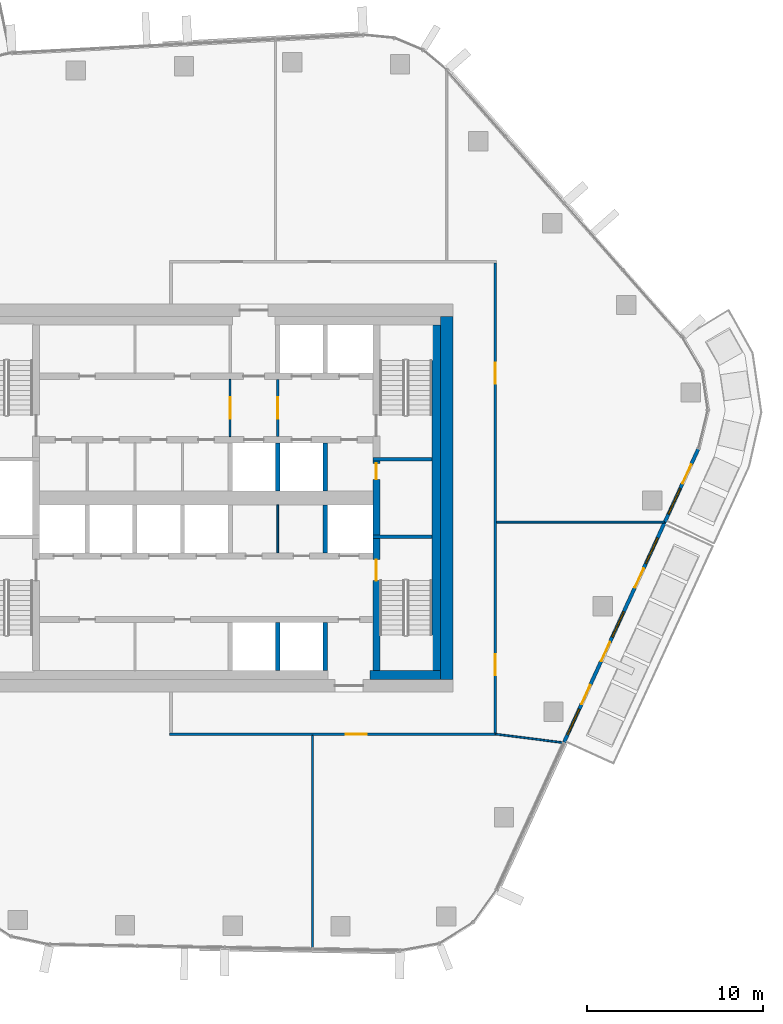
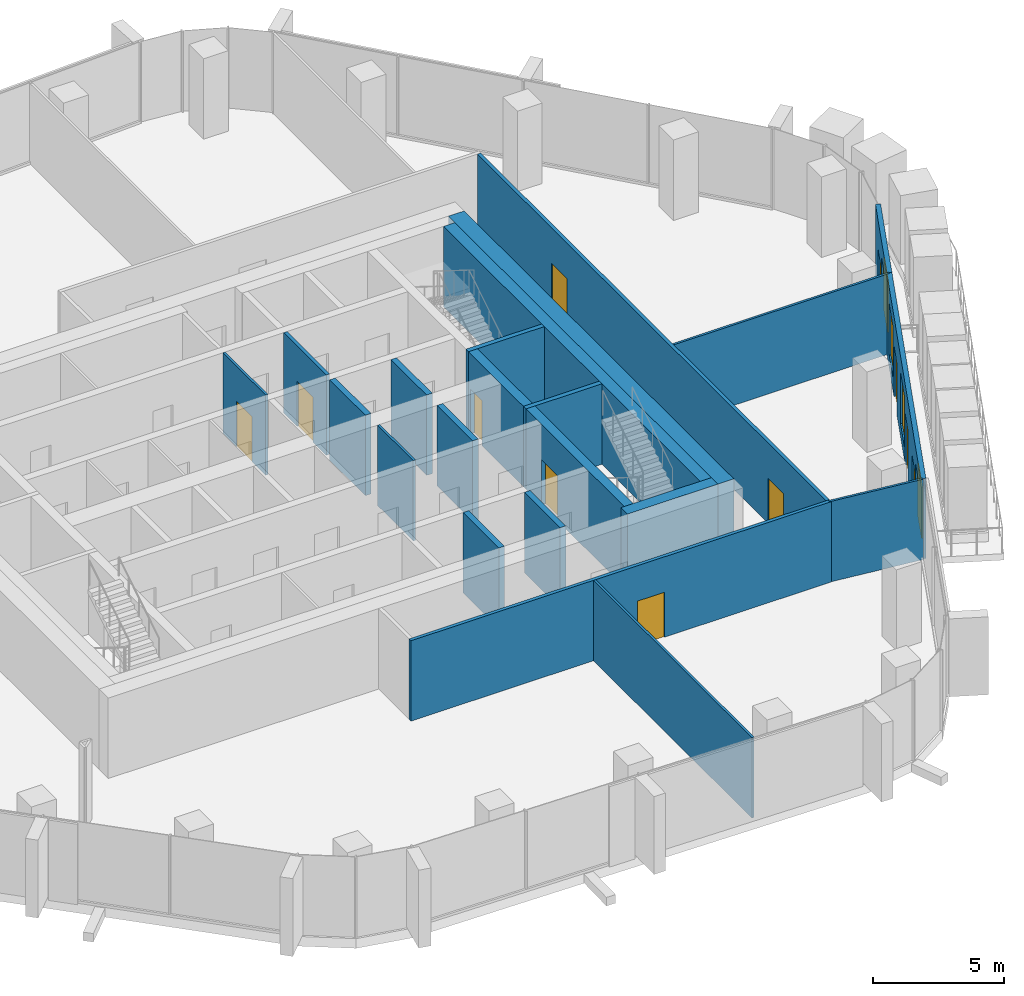
# One storey, part 12 of 21: 22 walls, 11 doors, 4 windows, 15 openings.
"""IFC4 building model written with IfcOpenShell, lengths in metres."""

from ifc_helpers import new_model, si_unit, direction, frame, frame_2d, origin, place, context, subcontext, project, spatial, rectangle, extrude, material, layer, layer_set, type_object, element, fill, save


model = new_model("IFC4")

# Units and contexts
model_context = context("Model", 3, precision=1e-05, world=origin(), true_north=direction((0.0, 1.0)))
body_context = subcontext(model_context, "Body", "Model", "MODEL_VIEW")
ifc_project = project(units=[si_unit("LENGTHUNIT", "METRE"), si_unit("AREAUNIT", "SQUARE_METRE"), si_unit("VOLUMEUNIT", "CUBIC_METRE"), si_unit("PLANEANGLEUNIT", "RADIAN"), si_unit("MASSUNIT", "GRAM", prefix="KILO")], contexts=[model_context])

# Site, building, storey
site_placement = place(None, origin())
site = spatial("IfcSite", under=ifc_project, at=site_placement, CompositionType="ELEMENT")
building_placement = place(site_placement, origin())
building = spatial("IfcBuilding", under=site, at=building_placement, Name="Dongbaek Canopy Tower", CompositionType="ELEMENT")
storey_placement = place(building_placement, frame((0.0, 0.0, 232.800048828125)))
storey = spatial("IfcBuildingStorey", under=building, at=storey_placement, Name="L48", CompositionType="ELEMENT", Elevation=232.800048828125)

# Walls
ifc_material_1 = material(Name="Concrete C70/85", Category="concrete")
ifc_layer_1 = layer(ifc_material_1, 0.699951171875)
ifc_layer_set_1 = layer_set([ifc_layer_1], Name="Core outer wall 700 Concrete C70/85")
wall_type_1 = type_object("IfcWallType", Name="Core outer wall 700 Concrete C70/85", PredefinedType="SHEAR", material=ifc_layer_set_1)
wall_1_placement = place(storey_placement, frame((13.64990234375, 10.300048828125, 0.0), z_axis=(0.0, 0.0, 1.0), x_axis=(0.0, -1.0, 0.0)))
element("IfcWall", 1, at=wall_1_placement, inside=storey, type_object=wall_type_1, Name="Core wall", PredefinedType="SHEAR", context=body_context, shape_type="SweptSolid", body=[
    extrude(rectangle(XDim=20.60009765625, YDim=0.699951171875, at=frame_2d((10.300048828125, 0.0))), origin(), (0.0, 0.0, 1.0), 3.75),
])
ifc_material_2 = material(Name="Concrete C60/75", Category="concrete")
ifc_layer_2 = layer(ifc_material_2, 0.5)
ifc_layer_set_2 = layer_set([ifc_layer_2], Name="Core wall lining 500 Concrete C60/75")
wall_type_2 = type_object("IfcWallType", Name="Core wall lining 500 Concrete C60/75", PredefinedType="SHEAR", material=ifc_layer_set_2)
wall_2_placement = place(storey_placement, frame((13.300048828125, -10.050048828125, 0.0), z_axis=(0.0, 0.0, 1.0), x_axis=(-1.0, 0.0, 0.0)))
element("IfcWall", 2, at=wall_2_placement, inside=storey, type_object=wall_type_2, Name="Core wall lining", PredefinedType="SHEAR", context=body_context, shape_type="SweptSolid", body=[
    extrude(rectangle(XDim=4.0, YDim=0.5, at=frame_2d((2.0, 0.0))), origin(), (0.0, 0.0, 1.0), 3.75),
])
wall_3_placement = place(storey_placement, frame((13.050048828125, 9.800048828125, 0.0), z_axis=(0.0, 0.0, 1.0), x_axis=(0.0, -1.0, 0.0)))
element("IfcWall", 3, at=wall_3_placement, inside=storey, type_object=wall_type_2, Name="Core wall lining", PredefinedType="SHEAR", context=body_context, shape_type="SweptSolid", body=[
    extrude(rectangle(XDim=19.60009765625, YDim=0.5, at=frame_2d((9.800048828125, 0.0))), origin(), (0.0, 0.0, 1.0), 3.75),
])

# Wall, opening, door
ifc_material_3 = material(Name="Gypsum board partition, steel stud, 2 x 15 mm fire board", Category="steel")
ifc_layer_3 = layer(ifc_material_3, 0.14990234375)
ifc_layer_set_3 = layer_set([ifc_layer_3], Name="Fire-rated partition 150 gypsum board")
wall_type_3 = type_object("IfcWallType", Name="Fire-rated partition 150 gypsum board", PredefinedType="PARTITIONING", material=ifc_layer_set_3)
wall_4_placement = place(storey_placement, frame((16.47509765625, -13.39990234375, 0.0), z_axis=(0.0, 0.0, 1.0), x_axis=(-1.0, 0.0, 0.0)))
wall_4 = element("IfcWall", 4, at=wall_4_placement, inside=storey, type_object=wall_type_3, Name="Corridor partition", PredefinedType="PARTITIONING", context=body_context, shape_type="SweptSolid", body=[
    extrude(rectangle(XDim=18.550048828125, YDim=0.14990234375, at=frame_2d((9.27490234375, 0.0))), origin(), (0.0, 0.0, 1.0), 3.75),
])
opening_1_placement = place(wall_4_placement, frame((7.3671875, 0.0, 0.0)))
opening_1 = element("IfcOpeningElement", 5, at=opening_1_placement, cuts=wall_4, Name="Opening L48-D002", PredefinedType="OPENING", context=body_context, shape_type="SweptSolid", body=[
    extrude(rectangle(XDim=1.199951171875, YDim=2.10009765625, at=frame_2d((0.60009765625, 1.050048828125))), frame((0.0, 0.0849609375, 0.0), z_axis=(0.0, -1.0, 0.0), x_axis=(1.0, 0.0, 0.0)), (0.0, 0.0, 1.0), 0.169921875),
])
ifc_material_4 = material(Name="Timber veneered door leaf", Category="wood")
door_type_1 = type_object("IfcDoorType", Name="Room door 1200 x 2100", OperationType="SINGLE_SWING_LEFT", PredefinedType="DOOR", material=ifc_material_4)
door_1_placement = place(opening_1_placement, origin())
door_1 = element("IfcDoor", 6, at=door_1_placement, inside=storey, type_object=door_type_1, Name="Door L48-D002", OperationType="SINGLE_SWING_LEFT", OverallHeight=2.10009765625, OverallWidth=1.199951171875, PredefinedType="DOOR", context=body_context, shape_type="SweptSolid", body=[
    extrude(rectangle(XDim=1.199951171875, YDim=2.10009765625, at=frame_2d((0.60009765625, 1.050048828125))), frame((0.0, 0.02490234375, 0.0), z_axis=(0.0, -1.0, 0.0), x_axis=(1.0, 0.0, 0.0)), (0.0, 0.0, 1.0), 0.050048828125),
])
fill(opening_1, door_1)

# Wall, openings, doors
wall_5_placement = place(storey_placement, frame((16.39990234375, 13.324951171875, 0.0), z_axis=(0.0, 0.0, 1.0), x_axis=(0.0, -1.0, 0.0)))
wall_5 = element("IfcWall", 7, at=wall_5_placement, inside=storey, type_object=wall_type_3, Name="Corridor partition", PredefinedType="PARTITIONING", context=body_context, shape_type="SweptSolid", body=[
    extrude(rectangle(XDim=26.64990234375, YDim=0.14990234375, at=frame_2d((13.324951171875, 0.0))), origin(), (0.0, 0.0, 1.0), 3.75),
])
opening_2_placement = place(wall_5_placement, frame((22.198974609375, 0.0, 0.0)))
opening_2 = element("IfcOpeningElement", 8, at=opening_2_placement, cuts=wall_5, Name="Opening L48-D003", PredefinedType="OPENING", context=body_context, shape_type="SweptSolid", body=[
    extrude(rectangle(XDim=1.199951171875, YDim=2.10009765625, at=frame_2d((0.60009765625, 1.050048828125))), frame((0.0, 0.0849609375, 0.0), z_axis=(0.0, -1.0, 0.0), x_axis=(1.0, 0.0, 0.0)), (0.0, 0.0, 1.0), 0.169921875),
])
opening_3_placement = place(wall_5_placement, frame((5.651123046875, 0.0, 0.0)))
opening_3 = element("IfcOpeningElement", 9, at=opening_3_placement, cuts=wall_5, Name="Opening L48-D004", PredefinedType="OPENING", context=body_context, shape_type="SweptSolid", body=[
    extrude(rectangle(XDim=1.199951171875, YDim=2.10009765625, at=frame_2d((0.60009765625, 1.050048828125))), frame((0.0, 0.0849609375, 0.0), z_axis=(0.0, -1.0, 0.0), x_axis=(1.0, 0.0, 0.0)), (0.0, 0.0, 1.0), 0.169921875),
])
door_2_placement = place(opening_2_placement, origin())
door_2 = element("IfcDoor", 10, at=door_2_placement, inside=storey, type_object=door_type_1, Name="Door L48-D003", OperationType="SINGLE_SWING_RIGHT", OverallHeight=2.10009765625, OverallWidth=1.199951171875, PredefinedType="DOOR", context=body_context, shape_type="SweptSolid", body=[
    extrude(rectangle(XDim=1.199951171875, YDim=2.10009765625, at=frame_2d((0.60009765625, 1.050048828125))), frame((0.0, 0.02490234375, 0.0), z_axis=(0.0, -1.0, 0.0), x_axis=(1.0, 0.0, 0.0)), (0.0, 0.0, 1.0), 0.050048828125),
])
fill(opening_2, door_2)
door_3_placement = place(opening_3_placement, origin())
door_3 = element("IfcDoor", 11, at=door_3_placement, inside=storey, type_object=door_type_1, Name="Door L48-D004", OperationType="SINGLE_SWING_LEFT", OverallHeight=2.10009765625, OverallWidth=1.199951171875, PredefinedType="DOOR", context=body_context, shape_type="SweptSolid", body=[
    extrude(rectangle(XDim=1.199951171875, YDim=2.10009765625, at=frame_2d((0.60009765625, 1.050048828125))), frame((0.0, 0.02490234375, 0.0), z_axis=(0.0, -1.0, 0.0), x_axis=(1.0, 0.0, 0.0)), (0.0, 0.0, 1.0), 0.050048828125),
])
fill(opening_3, door_3)

# Wall, opening, door
wall_6_placement = place(storey_placement, frame((4.050048828125, 6.72509765625, 0.0), z_axis=(0.0, 0.0, 1.0), x_axis=(0.0, -1.0, 0.0)))
wall_6 = element("IfcWall", 12, at=wall_6_placement, inside=storey, type_object=wall_type_3, Name="Fire lobby partition", PredefinedType="PARTITIONING", context=body_context, shape_type="SweptSolid", body=[
    extrude(rectangle(XDim=3.25, YDim=0.14990234375, at=frame_2d((1.625, 0.0))), origin(), (0.0, 0.0, 1.0), 3.75),
])
opening_4_placement = place(wall_6_placement, frame((1.02490234375, 0.0, 0.0)))
opening_4 = element("IfcOpeningElement", 13, at=opening_4_placement, cuts=wall_6, Name="Opening L48-D036", PredefinedType="OPENING", context=body_context, shape_type="SweptSolid", body=[
    extrude(rectangle(XDim=1.199951171875, YDim=2.10009765625, at=frame_2d((0.60009765625, 1.050048828125))), frame((0.0, 0.0849609375, 0.0), z_axis=(0.0, -1.0, 0.0), x_axis=(1.0, 0.0, 0.0)), (0.0, 0.0, 1.0), 0.169921875),
])
ifc_material_5 = material(Name="Steel", Category="steel")
door_type_2 = type_object("IfcDoorType", Name="Fire lobby door 1200 x 2100", OperationType="SINGLE_SWING_LEFT", PredefinedType="DOOR", material=ifc_material_5)
door_4_placement = place(opening_4_placement, origin())
door_4 = element("IfcDoor", 14, at=door_4_placement, inside=storey, type_object=door_type_2, Name="Door L48-D036", OperationType="SINGLE_SWING_RIGHT", OverallHeight=2.10009765625, OverallWidth=1.199951171875, PredefinedType="DOOR", context=body_context, shape_type="SweptSolid", body=[
    extrude(rectangle(XDim=1.199951171875, YDim=2.10009765625, at=frame_2d((0.60009765625, 1.050048828125))), frame((0.0, 0.02490234375, 0.0), z_axis=(0.0, -1.0, 0.0), x_axis=(1.0, 0.0, 0.0)), (0.0, 0.0, 1.0), 0.050048828125),
])
fill(opening_4, door_4)

# Walls
ifc_material_6 = material(Name="Concrete C40/50", Category="concrete")
ifc_layer_4 = layer(ifc_material_6, 0.25)
ifc_layer_set_4 = layer_set([ifc_layer_4], Name="Lift shaft wall 250 Concrete C40/50")
wall_type_4 = type_object("IfcWallType", Name="Lift shaft wall 250 Concrete C40/50", PredefinedType="SOLIDWALL", material=ifc_layer_set_4)
for number, where, z_axis, x_axis, name in (
    (15, (6.75, -9.800048828125, 0.0), (0.0, 0.0, 1.0), (0.0, 1.0, 0.0), "Lift shaft wall"),
    (16, (6.75, -3.125, 0.0), (0.0, 0.0, 1.0), (0.0, 1.0, 0.0), "Lift shaft wall"),
    (17, (6.75, 0.39990234375, 0.0), (0.0, 0.0, 1.0), (0.0, 1.0, 0.0), "Lift shaft wall"),
    (18, (4.050048828125, -9.800048828125, 0.0), (0.0, 0.0, 1.0), (0.0, 1.0, 0.0), "Lift shaft wall"),
    (19, (4.050048828125, 0.39990234375, 0.0), (0.0, 0.0, 1.0), (0.0, 1.0, 0.0), "Lift shaft wall"),
):
    element("IfcWall", number, at=place(storey_placement, frame(where, z_axis=z_axis, x_axis=x_axis)), inside=storey, type_object=wall_type_4, Name=name, PredefinedType="SOLIDWALL", context=body_context, shape_type="SweptSolid", body=[
        extrude(rectangle(XDim=2.72509765625, YDim=0.25, at=frame_2d((1.362548828125, 0.0))), origin(), (0.0, 0.0, 1.0), 3.75),
    ])
ifc_material_7 = material(Name="Gypsum board partition, steel stud, 2 x 12.5 mm board", Category="steel")
ifc_layer_5 = layer(ifc_material_7, 0.10009765625)
ifc_layer_set_5 = layer_set([ifc_layer_5], Name="Partition 100 gypsum board")
wall_type_5 = type_object("IfcWallType", Name="Partition 100 gypsum board", PredefinedType="PARTITIONING", material=ifc_layer_set_5)
wall_7_placement = place(storey_placement, frame((16.47509765625, -1.3759765625, 0.0), z_axis=(0.0, 0.0, 1.0), x_axis=(1.0, 0.0, 0.0)))
element("IfcWall", 20, at=wall_7_placement, inside=storey, type_object=wall_type_5, Name="Partition", PredefinedType="PARTITIONING", context=body_context, shape_type="SweptSolid", body=[
    extrude(rectangle(XDim=9.513916015625, YDim=0.10009765625, at=frame_2d((4.7568359375, 0.0))), origin(), (0.0, 0.0, 1.0), 3.75),
])
wall_8_placement = place(storey_placement, frame((6.02587890625, -25.57568359375, 0.0), z_axis=(0.0, 0.0, 1.0), x_axis=(0.0, 1.0, 0.0)))
element("IfcWall", 21, at=wall_8_placement, inside=storey, type_object=wall_type_5, Name="Partition", PredefinedType="PARTITIONING", context=body_context, shape_type="SweptSolid", body=[
    extrude(rectangle(XDim=12.1005859375, YDim=0.10009765625, at=frame_2d((6.05029296875, 0.0))), origin(), (0.0, 0.0, 1.0), 3.75),
])
wall_9_placement = place(storey_placement, frame((16.39990234375, -13.400390625, 0.0), z_axis=(0.0, 0.0, 1.0), x_axis=(0.992073977013, -0.125655179493, 0.0)))
element("IfcWall", 22, at=wall_9_placement, inside=storey, type_object=wall_type_5, Name="Partition", PredefinedType="PARTITIONING", context=body_context, shape_type="SweptSolid", body=[
    extrude(rectangle(XDim=3.8935546875, YDim=0.10009765625, at=frame_2d((1.94677734375, 0.0))), origin(), (0.0, 0.0, 1.0), 3.75),
])
wall_10_placement = place(storey_placement, frame((4.050048828125, -3.125, 0.0), z_axis=(0.0, 0.0, 1.0), x_axis=(0.0, 1.0, 0.0)))
element("IfcWall", 23, at=wall_10_placement, inside=storey, type_object=wall_type_5, Name="Core partition", PredefinedType="PARTITIONING", context=body_context, shape_type="SweptSolid", body=[
    extrude(rectangle(XDim=2.72509765625, YDim=0.10009765625, at=frame_2d((1.362548828125, 0.0))), origin(), (0.0, 0.0, 1.0), 3.75),
])

# Wall, opening, door
wall_11_placement = place(storey_placement, frame((1.35009765625, 6.72509765625, 0.0), z_axis=(0.0, 0.0, 1.0), x_axis=(0.0, -1.0, 0.0)))
wall_11 = element("IfcWall", 24, at=wall_11_placement, inside=storey, type_object=wall_type_5, Name="Core partition", PredefinedType="PARTITIONING", context=body_context, shape_type="SweptSolid", body=[
    extrude(rectangle(XDim=3.25, YDim=0.10009765625, at=frame_2d((1.625, 0.0))), origin(), (0.0, 0.0, 1.0), 3.75),
])
opening_5_placement = place(wall_11_placement, frame((1.02490234375, 0.0, 0.0)))
opening_5 = element("IfcOpeningElement", 25, at=opening_5_placement, cuts=wall_11, Name="Opening L48-D035", PredefinedType="OPENING", context=body_context, shape_type="SweptSolid", body=[
    extrude(rectangle(XDim=1.199951171875, YDim=2.10009765625, at=frame_2d((0.60009765625, 1.050048828125))), frame((0.0, 0.06005859375, 0.0), z_axis=(0.0, -1.0, 0.0), x_axis=(1.0, 0.0, 0.0)), (0.0, 0.0, 1.0), 0.1201171875),
])
door_5_placement = place(opening_5_placement, origin())
door_5 = element("IfcDoor", 26, at=door_5_placement, inside=storey, type_object=door_type_2, Name="Door L48-D035", OperationType="SINGLE_SWING_LEFT", OverallHeight=2.10009765625, OverallWidth=1.199951171875, PredefinedType="DOOR", context=body_context, shape_type="SweptSolid", body=[
    extrude(rectangle(XDim=1.199951171875, YDim=2.10009765625, at=frame_2d((0.60009765625, 1.050048828125))), frame((0.0, 0.02490234375, 0.0), z_axis=(0.0, -1.0, 0.0), x_axis=(1.0, 0.0, 0.0)), (0.0, 0.0, 1.0), 0.050048828125),
])
fill(opening_5, door_5)

# Walls
ifc_material_8 = material(Name="Concrete C60/75", Category="concrete")
ifc_layer_6 = layer(ifc_material_8, 0.199951171875)
ifc_layer_set_6 = layer_set([ifc_layer_6], Name="Riser wall 200 Concrete C60/75")
wall_type_6 = type_object("IfcWallType", Name="Riser wall 200 Concrete C60/75", PredefinedType="SHEAR", material=ifc_layer_set_6)
for number, where, z_axis, x_axis, name in (
    (27, (9.449951171875, 2.199951171875, 0.0), (0.0, 0.0, 1.0), (1.0, 0.0, 0.0), "Riser wall"),
    (28, (9.449951171875, -2.199951171875, 0.0), (0.0, 0.0, 1.0), (1.0, 0.0, 0.0), "Riser wall"),
):
    element("IfcWall", number, at=place(storey_placement, frame(where, z_axis=z_axis, x_axis=x_axis)), inside=storey, type_object=wall_type_6, Name=name, PredefinedType="SHEAR", context=body_context, shape_type="SweptSolid", body=[
        extrude(rectangle(XDim=3.35009765625, YDim=0.199951171875, at=frame_2d((1.675048828125, 0.0))), origin(), (0.0, 0.0, 1.0), 3.75),
    ])

# Wall, opening, door
ifc_material_9 = material(Name="Concrete C60/75", Category="concrete")
ifc_layer_7 = layer(ifc_material_9, 0.39990234375)
ifc_layer_set_7 = layer_set([ifc_layer_7], Name="Stair wall 400 Concrete C60/75")
wall_type_7 = type_object("IfcWallType", Name="Stair wall 400 Concrete C60/75", PredefinedType="SHEAR", material=ifc_layer_set_7)
wall_12_placement = place(storey_placement, frame((9.64990234375, -2.300048828125, 0.0), z_axis=(0.0, 0.0, 1.0), x_axis=(0.0, -1.0, 0.0)))
wall_12 = element("IfcWall", 29, at=wall_12_placement, inside=storey, type_object=wall_type_7, Name="Stair wall", PredefinedType="SHEAR", context=body_context, shape_type="SweptSolid", body=[
    extrude(rectangle(XDim=7.5, YDim=0.39990234375, at=frame_2d((3.75, 0.0))), origin(), (0.0, 0.0, 1.0), 3.75),
])
opening_6_placement = place(wall_12_placement, frame((1.199951171875, 0.0, 0.0)))
opening_6 = element("IfcOpeningElement", 30, at=opening_6_placement, cuts=wall_12, Name="Opening L48-D033", PredefinedType="OPENING", context=body_context, shape_type="SweptSolid", body=[
    extrude(rectangle(XDim=1.199951171875, YDim=2.10009765625, at=frame_2d((0.60009765625, 1.050048828125))), frame((0.0, 0.2099609375, 0.0), z_axis=(0.0, -1.0, 0.0), x_axis=(1.0, 0.0, 0.0)), (0.0, 0.0, 1.0), 0.419921875),
])
ifc_material_10 = material(Name="Steel", Category="steel")
door_type_3 = type_object("IfcDoorType", Name="Stair door 1200 x 2100", OperationType="SINGLE_SWING_LEFT", PredefinedType="DOOR", material=ifc_material_10)
door_6_placement = place(opening_6_placement, origin())
door_6 = element("IfcDoor", 31, at=door_6_placement, inside=storey, type_object=door_type_3, Name="Stair B door", OperationType="SINGLE_SWING_RIGHT", OverallHeight=2.10009765625, OverallWidth=1.199951171875, PredefinedType="DOOR", context=body_context, shape_type="SweptSolid", body=[
    extrude(rectangle(XDim=1.199951171875, YDim=2.10009765625, at=frame_2d((0.60009765625, 1.050048828125))), frame((0.0, 0.02490234375, 0.0), z_axis=(0.0, -1.0, 0.0), x_axis=(1.0, 0.0, 0.0)), (0.0, 0.0, 1.0), 0.050048828125),
])
fill(opening_6, door_6)

wall_13_placement = place(storey_placement, frame((9.64990234375, 2.10009765625, 0.0), z_axis=(0.0, 0.0, 1.0), x_axis=(0.0, -1.0, 0.0)))
wall_13 = element("IfcWall", 32, at=wall_13_placement, inside=storey, type_object=wall_type_7, Name="Stair wall", PredefinedType="SHEAR", context=body_context, shape_type="SweptSolid", body=[
    extrude(rectangle(XDim=4.2001953125, YDim=0.39990234375, at=frame_2d((2.10009765625, 0.0))), origin(), (0.0, 0.0, 1.0), 3.75),
])
opening_7_placement = place(wall_13_placement, frame((0.14990234375, 0.0, 0.0)))
opening_7 = element("IfcOpeningElement", 33, at=opening_7_placement, cuts=wall_13, Name="Opening L48-D006", PredefinedType="OPENING", context=body_context, shape_type="SweptSolid", body=[
    extrude(rectangle(XDim=0.89990234375, YDim=2.10009765625, at=frame_2d((0.449951171875, 1.050048828125))), frame((0.0, 0.2099609375, 0.0), z_axis=(0.0, -1.0, 0.0), x_axis=(1.0, 0.0, 0.0)), (0.0, 0.0, 1.0), 0.419921875),
])
ifc_material_11 = material(Name="Steel", Category="steel")
door_type_4 = type_object("IfcDoorType", Name="Core room door 900 x 2100", OperationType="SINGLE_SWING_LEFT", PredefinedType="DOOR", material=ifc_material_11)
door_7_placement = place(opening_7_placement, origin())
door_7 = element("IfcDoor", 34, at=door_7_placement, inside=storey, type_object=door_type_4, Name="Door L48-D006", OperationType="SINGLE_SWING_RIGHT", OverallHeight=2.10009765625, OverallWidth=0.89990234375, PredefinedType="DOOR", context=body_context, shape_type="SweptSolid", body=[
    extrude(rectangle(XDim=0.89990234375, YDim=2.10009765625, at=frame_2d((0.449951171875, 1.050048828125))), frame((0.0, 0.02490234375, 0.0), z_axis=(0.0, -1.0, 0.0), x_axis=(1.0, 0.0, 0.0)), (0.0, 0.0, 1.0), 0.050048828125),
])
fill(opening_7, door_7)

# Wall, openings, doors, windows
ifc_material_12 = material(Name="Aluminium window wall", Category="aluminium")
ifc_layer_8 = layer(ifc_material_12, 0.199951171875)
ifc_layer_set_8 = layer_set([ifc_layer_8], Name="Window wall 200")
wall_type_8 = type_object("IfcWallType", Name="Window wall 200", PredefinedType="SOLIDWALL", material=ifc_layer_set_8)
wall_14_placement = place(storey_placement, frame((20.283447265625, -13.89208984375, 0.0), z_axis=(0.0, 0.0, 1.0), x_axis=(0.416106802435, 0.909315747674, 0.0)))
wall_14 = element("IfcWall", 35, at=wall_14_placement, inside=storey, type_object=wall_type_8, Name="Window wall L48 2", PredefinedType="SOLIDWALL", context=body_context, shape_type="SweptSolid", body=[
    extrude(rectangle(XDim=13.7646484375, YDim=0.199951171875, at=frame_2d((6.88232421875, 0.0))), origin(), (0.0, 0.0, 1.0), 3.75),
])
opening_8_placement = place(wall_14_placement, frame((0.5, 0.0, 0.60009765625)))
opening_8 = element("IfcOpeningElement", 36, at=opening_8_placement, cuts=wall_14, Name="Opening W1", PredefinedType="OPENING", context=body_context, shape_type="SweptSolid", body=[
    extrude(rectangle(XDim=1.60009765625, YDim=2.39990234375, at=frame_2d((0.800048828125, 1.199951171875))), frame((0.0, 0.10986328125, 0.0), z_axis=(0.0, -1.0, 0.0), x_axis=(1.0, 0.0, 0.0)), (0.0, 0.0, 1.0), 0.219970703125),
])
opening_9_placement = place(wall_14_placement, frame((2.39990234375, 0.0, 0.0)))
opening_9 = element("IfcOpeningElement", 37, at=opening_9_placement, cuts=wall_14, Name="Opening L48-B05", PredefinedType="OPENING", context=body_context, shape_type="SweptSolid", body=[
    extrude(rectangle(XDim=1.199951171875, YDim=2.39990234375, at=frame_2d((0.60009765625, 1.199951171875))), frame((0.0, 0.10986328125, 0.0), z_axis=(0.0, -1.0, 0.0), x_axis=(1.0, 0.0, 0.0)), (0.0, 0.0, 1.0), 0.219970703125),
])
opening_10_placement = place(wall_14_placement, frame((6.588134765625, 0.0, 0.60009765625)))
opening_10 = element("IfcOpeningElement", 38, at=opening_10_placement, cuts=wall_14, Name="Opening W1", PredefinedType="OPENING", context=body_context, shape_type="SweptSolid", body=[
    extrude(rectangle(XDim=1.60009765625, YDim=2.39990234375, at=frame_2d((0.800048828125, 1.199951171875))), frame((0.0, 0.10986328125, 0.0), z_axis=(0.0, -1.0, 0.0), x_axis=(1.0, 0.0, 0.0)), (0.0, 0.0, 1.0), 0.219970703125),
])
opening_11_placement = place(wall_14_placement, frame((5.088134765625, 0.0, 0.0)))
opening_11 = element("IfcOpeningElement", 39, at=opening_11_placement, cuts=wall_14, Name="Opening L48-B06", PredefinedType="OPENING", context=body_context, shape_type="SweptSolid", body=[
    extrude(rectangle(XDim=1.199951171875, YDim=2.39990234375, at=frame_2d((0.60009765625, 1.199951171875))), frame((0.0, 0.10986328125, 0.0), z_axis=(0.0, -1.0, 0.0), x_axis=(1.0, 0.0, 0.0)), (0.0, 0.0, 1.0), 0.219970703125),
])
opening_12_placement = place(wall_14_placement, frame((11.17626953125, 0.0, 0.60009765625)))
opening_12 = element("IfcOpeningElement", 40, at=opening_12_placement, cuts=wall_14, Name="Opening W1", PredefinedType="OPENING", context=body_context, shape_type="SweptSolid", body=[
    extrude(rectangle(XDim=1.60009765625, YDim=2.39990234375, at=frame_2d((0.800048828125, 1.199951171875))), frame((0.0, 0.10986328125, 0.0), z_axis=(0.0, -1.0, 0.0), x_axis=(1.0, 0.0, 0.0)), (0.0, 0.0, 1.0), 0.219970703125),
])
opening_13_placement = place(wall_14_placement, frame((9.67626953125, 0.0, 0.0)))
opening_13 = element("IfcOpeningElement", 41, at=opening_13_placement, cuts=wall_14, Name="Opening L48-B07", PredefinedType="OPENING", context=body_context, shape_type="SweptSolid", body=[
    extrude(rectangle(XDim=1.199951171875, YDim=2.39990234375, at=frame_2d((0.60009765625, 1.199951171875))), frame((0.0, 0.10986328125, 0.0), z_axis=(0.0, -1.0, 0.0), x_axis=(1.0, 0.0, 0.0)), (0.0, 0.0, 1.0), 0.219970703125),
])
ifc_material_13 = material(Name="Clear glazing in aluminium frame", Category="aluminium")
door_type_5 = type_object("IfcDoorType", Name="Balcony door BD1 1200 x 2400", OperationType="SLIDING_TO_LEFT", PredefinedType="DOOR", material=ifc_material_13)
door_8_placement = place(opening_9_placement, origin())
door_8 = element("IfcDoor", 42, at=door_8_placement, inside=storey, type_object=door_type_5, Name="Balcony door L48-B05", OperationType="SLIDING_TO_LEFT", OverallHeight=2.39990234375, OverallWidth=1.199951171875, PredefinedType="DOOR", context=body_context, shape_type="SweptSolid", body=[
    extrude(rectangle(XDim=1.199951171875, YDim=2.39990234375, at=frame_2d((0.60009765625, 1.199951171875))), frame((0.0, 0.02490234375, 0.0), z_axis=(0.0, -1.0, 0.0), x_axis=(1.0, 0.0, 0.0)), (0.0, 0.0, 1.0), 0.050048828125),
])
fill(opening_9, door_8)
door_9_placement = place(opening_11_placement, origin())
door_9 = element("IfcDoor", 43, at=door_9_placement, inside=storey, type_object=door_type_5, Name="Balcony door L48-B06", OperationType="SLIDING_TO_LEFT", OverallHeight=2.39990234375, OverallWidth=1.199951171875, PredefinedType="DOOR", context=body_context, shape_type="SweptSolid", body=[
    extrude(rectangle(XDim=1.199951171875, YDim=2.39990234375, at=frame_2d((0.60009765625, 1.199951171875))), frame((0.0, 0.02490234375, 0.0), z_axis=(0.0, -1.0, 0.0), x_axis=(1.0, 0.0, 0.0)), (0.0, 0.0, 1.0), 0.050048828125),
])
fill(opening_11, door_9)
door_10_placement = place(opening_13_placement, origin())
door_10 = element("IfcDoor", 44, at=door_10_placement, inside=storey, type_object=door_type_5, Name="Balcony door L48-B07", OperationType="SLIDING_TO_LEFT", OverallHeight=2.39990234375, OverallWidth=1.199951171875, PredefinedType="DOOR", context=body_context, shape_type="SweptSolid", body=[
    extrude(rectangle(XDim=1.199951171875, YDim=2.39990234375, at=frame_2d((0.60009765625, 1.199951171875))), frame((0.0, 0.02490234375, 0.0), z_axis=(0.0, -1.0, 0.0), x_axis=(1.0, 0.0, 0.0)), (0.0, 0.0, 1.0), 0.050048828125),
])
fill(opening_13, door_10)
ifc_material_14 = material(Name="Clear glazing in aluminium frame", Category="aluminium")
window_type = type_object("IfcWindowType", Name="Window W1 1600 x 2400", PartitioningType="SINGLE_PANEL", PredefinedType="WINDOW", material=ifc_material_14)
window_1_placement = place(opening_8_placement, origin())
window_1 = element("IfcWindow", 45, at=window_1_placement, inside=storey, type_object=window_type, Name="Window L48 2.1", OverallHeight=2.39990234375, OverallWidth=1.60009765625, PartitioningType="SINGLE_PANEL", PredefinedType="WINDOW", context=body_context, shape_type="SweptSolid", body=[
    extrude(rectangle(XDim=1.60009765625, YDim=2.39990234375, at=frame_2d((0.800048828125, 1.199951171875))), frame((0.0, 0.030029296875, 0.0), z_axis=(0.0, -1.0, 0.0), x_axis=(1.0, 0.0, 0.0)), (0.0, 0.0, 1.0), 0.06005859375),
])
fill(opening_8, window_1)
window_2_placement = place(opening_10_placement, origin())
window_2 = element("IfcWindow", 46, at=window_2_placement, inside=storey, type_object=window_type, Name="Window L48 2.2", OverallHeight=2.39990234375, OverallWidth=1.60009765625, PartitioningType="SINGLE_PANEL", PredefinedType="WINDOW", context=body_context, shape_type="SweptSolid", body=[
    extrude(rectangle(XDim=1.60009765625, YDim=2.39990234375, at=frame_2d((0.800048828125, 1.199951171875))), frame((0.0, 0.030029296875, 0.0), z_axis=(0.0, -1.0, 0.0), x_axis=(1.0, 0.0, 0.0)), (0.0, 0.0, 1.0), 0.06005859375),
])
fill(opening_10, window_2)
window_3_placement = place(opening_12_placement, origin())
window_3 = element("IfcWindow", 47, at=window_3_placement, inside=storey, type_object=window_type, Name="Window L48 2.3", OverallHeight=2.39990234375, OverallWidth=1.60009765625, PartitioningType="SINGLE_PANEL", PredefinedType="WINDOW", context=body_context, shape_type="SweptSolid", body=[
    extrude(rectangle(XDim=1.60009765625, YDim=2.39990234375, at=frame_2d((0.800048828125, 1.199951171875))), frame((0.0, 0.030029296875, 0.0), z_axis=(0.0, -1.0, 0.0), x_axis=(1.0, 0.0, 0.0)), (0.0, 0.0, 1.0), 0.06005859375),
])
fill(opening_12, window_3)

# Wall, openings, door, window
wall_15_placement = place(storey_placement, frame((26.010986328125, -1.375732421875, 0.0), z_axis=(0.0, 0.0, 1.0), x_axis=(0.416127690122, 0.909306189088, 0.0)))
wall_15 = element("IfcWall", 48, at=wall_15_placement, inside=storey, type_object=wall_type_8, Name="Window wall L48 3", PredefinedType="SOLIDWALL", context=body_context, shape_type="SweptSolid", body=[
    extrude(rectangle(XDim=4.57861328125, YDim=0.199951171875, at=frame_2d((2.289306640625, 0.0))), origin(), (0.0, 0.0, 1.0), 3.75),
])
opening_14_placement = place(wall_15_placement, frame((0.5, 0.0, 0.60009765625)))
opening_14 = element("IfcOpeningElement", 49, at=opening_14_placement, cuts=wall_15, Name="Opening W1", PredefinedType="OPENING", context=body_context, shape_type="SweptSolid", body=[
    extrude(rectangle(XDim=1.60009765625, YDim=2.39990234375, at=frame_2d((0.800048828125, 1.199951171875))), frame((0.0, 0.10986328125, 0.0), z_axis=(0.0, -1.0, 0.0), x_axis=(1.0, 0.0, 0.0)), (0.0, 0.0, 1.0), 0.219970703125),
])
opening_15_placement = place(wall_15_placement, frame((2.39990234375, 0.0, 0.0)))
opening_15 = element("IfcOpeningElement", 50, at=opening_15_placement, cuts=wall_15, Name="Opening L48-B08", PredefinedType="OPENING", context=body_context, shape_type="SweptSolid", body=[
    extrude(rectangle(XDim=1.199951171875, YDim=2.39990234375, at=frame_2d((0.60009765625, 1.199951171875))), frame((0.0, 0.10986328125, 0.0), z_axis=(0.0, -1.0, 0.0), x_axis=(1.0, 0.0, 0.0)), (0.0, 0.0, 1.0), 0.219970703125),
])
door_11_placement = place(opening_15_placement, origin())
door_11 = element("IfcDoor", 51, at=door_11_placement, inside=storey, type_object=door_type_5, Name="Balcony door L48-B08", OperationType="SLIDING_TO_LEFT", OverallHeight=2.39990234375, OverallWidth=1.199951171875, PredefinedType="DOOR", context=body_context, shape_type="SweptSolid", body=[
    extrude(rectangle(XDim=1.199951171875, YDim=2.39990234375, at=frame_2d((0.60009765625, 1.199951171875))), frame((0.0, 0.02490234375, 0.0), z_axis=(0.0, -1.0, 0.0), x_axis=(1.0, 0.0, 0.0)), (0.0, 0.0, 1.0), 0.050048828125),
])
fill(opening_15, door_11)
window_4_placement = place(opening_14_placement, origin())
window_4 = element("IfcWindow", 52, at=window_4_placement, inside=storey, type_object=window_type, Name="Window L48 3.1", OverallHeight=2.39990234375, OverallWidth=1.60009765625, PartitioningType="SINGLE_PANEL", PredefinedType="WINDOW", context=body_context, shape_type="SweptSolid", body=[
    extrude(rectangle(XDim=1.60009765625, YDim=2.39990234375, at=frame_2d((0.800048828125, 1.199951171875))), frame((0.0, 0.030029296875, 0.0), z_axis=(0.0, -1.0, 0.0), x_axis=(1.0, 0.0, 0.0)), (0.0, 0.0, 1.0), 0.06005859375),
])
fill(opening_14, window_4)

save(model, "model.ifc")
